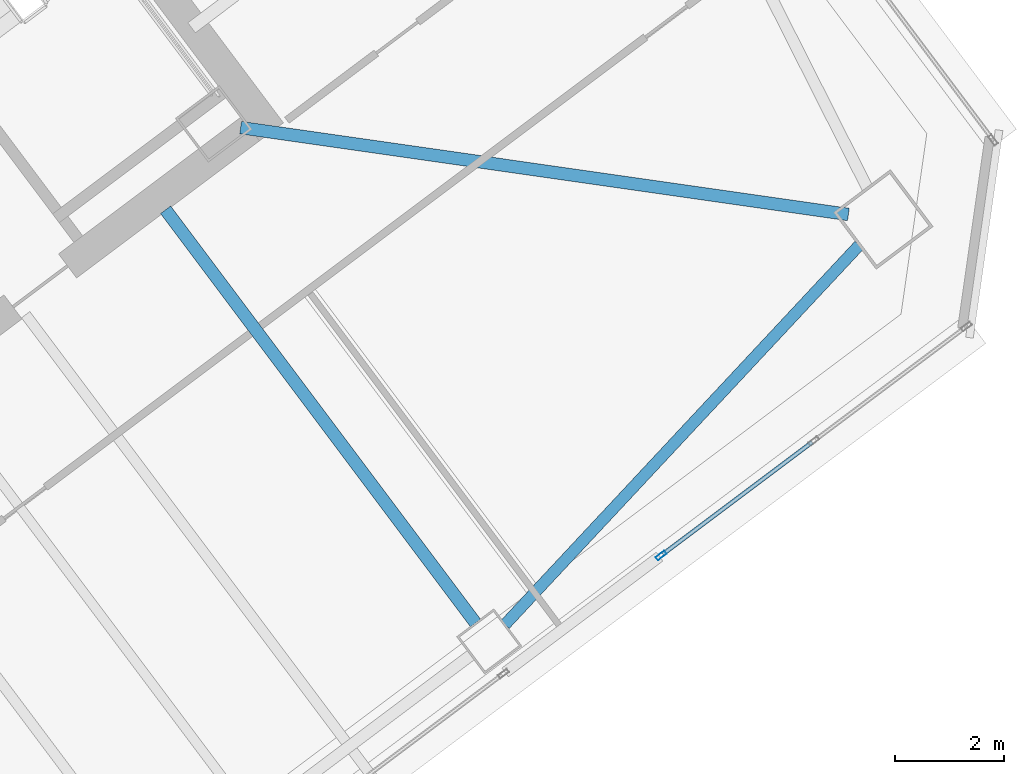
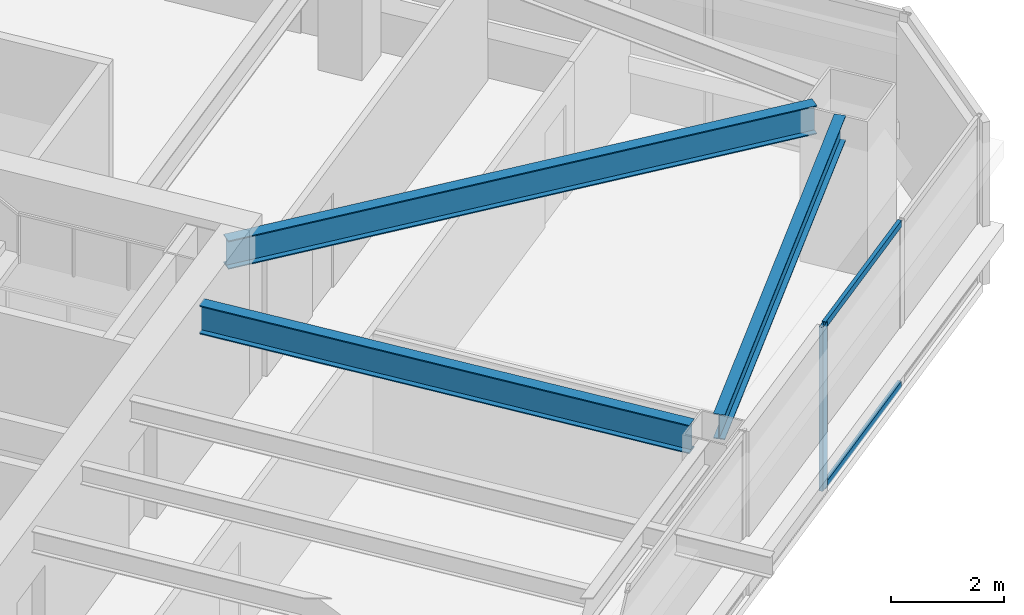
# One storey, part 25 of 46: 3 beams, 3 members, 1 element without a shape of its own.
"""IFC4 building model written with IfcOpenShell, lengths in metres."""

from ifc_helpers import new_model, si_unit, direction, frame, origin, origin_2d, place, context, subcontext, project, spatial, hollow_rectangle, i_section, extrude, material, material_profile, profile_set, type_object, element, aggregate, save


model = new_model("IFC4")

# Units and contexts
model_context = context("Model", 3, precision=1e-05, world=origin(), true_north=direction((0.0, 1.0)))
body_context = subcontext(model_context, "Body", "Model", "MODEL_VIEW")
ifc_project = project(units=[si_unit("LENGTHUNIT", "METRE"), si_unit("AREAUNIT", "SQUARE_METRE"), si_unit("VOLUMEUNIT", "CUBIC_METRE"), si_unit("PLANEANGLEUNIT", "RADIAN"), si_unit("MASSUNIT", "GRAM", prefix="KILO")], contexts=[model_context])

# Site, building, storey
site_placement = place(None, origin())
site = spatial("IfcSite", under=ifc_project, at=site_placement, CompositionType="ELEMENT")
building_placement = place(site_placement, origin())
building = spatial("IfcBuilding", under=site, at=building_placement, Name="Tashvorn Skyway Center", CompositionType="ELEMENT")
storey_placement = place(building_placement, frame((0.0, 0.0, 132.14990234375)))
storey = spatial("IfcBuildingStorey", under=building, at=storey_placement, Name="L35", CompositionType="ELEMENT", Elevation=132.14990234375)

# Beams
ifc_material_1 = material(Name="Steel ASTM A992 Grade 50", Category="steel")
ifc_material_profile_1 = material_profile(ifc_material_1, i_section(OverallWidth=0.22998046875, OverallDepth=0.616943359375, WebThickness=0.01318359375, FlangeThickness=0.022216796875, at=origin_2d()), Name="W24X94")
ifc_profile_set_1 = profile_set([ifc_material_profile_1], Name="Steel ASTM A992 Grade 50")
beam_type_1 = type_object("IfcBeamType", Name="BM-BEAM-W24X94", PredefinedType="BEAM", material=ifc_profile_set_1)
beam_1_placement = place(storey_placement, frame((135.4814453125, 28.93115234375, 3.0615234375), z_axis=(-0.989948189712, 0.141430483583, 0.0), x_axis=(-0.141430483583, -0.989948189712, 0.0)))
element("IfcBeam", 1, at=beam_1_placement, inside=storey, type_object=beam_type_1, Name="Tower 2 L35 Primary Floor Girder MC-SE", PredefinedType="BEAM", context=body_context, shape_type="SweptSolid", body=[
    extrude(i_section(OverallWidth=0.22998046875, OverallDepth=0.616943359375, WebThickness=0.01318359375, FlangeThickness=0.022216796875, at=origin_2d()), origin(), (0.0, 0.0, 1.0), 11.234375),
])
beam_2_placement = place(storey_placement, frame((128.657958984375, 21.4560546875, 3.0615234375), z_axis=(-0.599991732772, 0.800006200354, 0.0), x_axis=(-0.800006200354, -0.599991732772, 0.0)))
element("IfcBeam", 2, at=beam_2_placement, inside=storey, type_object=beam_type_1, Name="Tower 2 L35 Primary Floor Girder FC-S2", PredefinedType="BEAM", context=body_context, shape_type="SweptSolid", body=[
    extrude(i_section(OverallWidth=0.22998046875, OverallDepth=0.616943359375, WebThickness=0.01318359375, FlangeThickness=0.022216796875, at=origin_2d()), origin(), (0.0, 0.0, 1.0), 9.449951171875),
])
ifc_material_profile_2 = material_profile(ifc_material_1, i_section(OverallWidth=0.2109375, OverallDepth=0.5390625, WebThickness=0.01171875, FlangeThickness=0.018798828125, at=origin_2d()), Name="W21X73")
ifc_profile_set_2 = profile_set([ifc_material_profile_2], Name="Steel ASTM A992 Grade 50")
beam_type_2 = type_object("IfcBeamType", Name="BM-SPANDREL-W21X73", PredefinedType="SPANDREL", material=ifc_profile_set_2)
beam_3_placement = place(storey_placement, frame((129.19677734375, 21.427001953125, 3.1005859375), z_axis=(0.682545341102, 0.730843250868, 0.0), x_axis=(-0.730843250868, 0.682545341102, 0.0)))
element("IfcBeam", 3, at=beam_3_placement, inside=storey, type_object=beam_type_2, Name="Tower 2 L35 Spandrel Beam 03", PredefinedType="SPANDREL", context=body_context, shape_type="SweptSolid", body=[
    extrude(i_section(OverallWidth=0.2109375, OverallDepth=0.5390625, WebThickness=0.01171875, FlangeThickness=0.018798828125, at=origin_2d()), origin(), (0.0, 0.0, 1.0), 9.498046875),
])

# Curtain wall, members
ifc_material_2 = material(Name="Thermally broken bronze-anodized aluminium 6063-T6", Category="aluminium")
curtain_wall_type = type_object("IfcCurtainWallType", Name="CW-CW-Z3", PredefinedType="NOTDEFINED", material=ifc_material_2)
curtain_wall_placement = place(storey_placement, origin())
curtain_wall = element("IfcCurtainWall", 4, at=curtain_wall_placement, inside=storey, type_object=curtain_wall_type, Name="Tower 2 L35 South Unitised Curtain Wall Glazing Group 1", PredefinedType="NOTDEFINED")
ifc_material_profile_3 = material_profile(ifc_material_2, hollow_rectangle(XDim=0.074951171875, YDim=0.199951171875, WallThickness=0.00439453125, at=origin_2d()), Name="ALU-MULL-75x200")
ifc_profile_set_3 = profile_set([ifc_material_profile_3], Name="Thermally broken bronze-anodized aluminium 6063-T6")
member_type_1 = type_object("IfcMemberType", Name="CWM-CW-Z3", PredefinedType="MULLION", material=ifc_profile_set_3)
member_1_placement = place(storey_placement, frame((132.055908203125, 22.69189453125, 0.0), z_axis=(0.0, 0.0, 1.0), x_axis=(0.600004533995, -0.799996599484, 0.0)))
member_1 = element("IfcMember", 5, at=member_1_placement, type_object=member_type_1, Name="CW-Z3 mullion 3", PredefinedType="MULLION", context=body_context, shape_type="SweptSolid", body=[
    extrude(hollow_rectangle(XDim=0.074951171875, YDim=0.199951171875, WallThickness=0.00439453125, at=origin_2d()), origin(), (0.0, 0.0, 1.0), 3.550048828125),
])
ifc_material_profile_4 = material_profile(ifc_material_2, hollow_rectangle(XDim=0.074951171875, YDim=0.139892578125, WallThickness=0.004150390625, at=origin_2d()), Name="ALU-TRAN-75x140")
ifc_profile_set_4 = profile_set([ifc_material_profile_4], Name="Thermally broken bronze-anodized aluminium 6063-T6")
member_type_2 = type_object("IfcMemberType", Name="CWT-CW-Z3", PredefinedType="USERDEFINED", material=ifc_profile_set_4)
member_2_placement = place(storey_placement, frame((134.81884765625, 24.76416015625, 0.03759765625), z_axis=(-0.800008575267, -0.59998856614, 0.0), x_axis=(0.59998856614, -0.800008575267, 0.0)))
member_2 = element("IfcMember", 6, at=member_2_placement, type_object=member_type_2, Name="CW-Z3 transom 2.1", ObjectType="TRANSOM", PredefinedType="USERDEFINED", context=body_context, shape_type="SweptSolid", body=[
    extrude(hollow_rectangle(XDim=0.074951171875, YDim=0.139892578125, WallThickness=0.004150390625, at=origin_2d()), origin(), (0.0, 0.0, 1.0), 3.41650390625),
])
member_3_placement = place(storey_placement, frame((134.81884765625, 24.76416015625, 3.5126953125), z_axis=(-0.800008575267, -0.59998856614, 0.0), x_axis=(0.59998856614, -0.800008575267, 0.0)))
member_3 = element("IfcMember", 7, at=member_3_placement, type_object=member_type_2, Name="CW-Z3 transom 2.2", ObjectType="TRANSOM", PredefinedType="USERDEFINED", context=body_context, shape_type="SweptSolid", body=[
    extrude(hollow_rectangle(XDim=0.074951171875, YDim=0.139892578125, WallThickness=0.004150390625, at=origin_2d()), origin(), (0.0, 0.0, 1.0), 3.41650390625),
])
aggregate(curtain_wall, [member_1, member_2, member_3])

save(model, "model.ifc")
